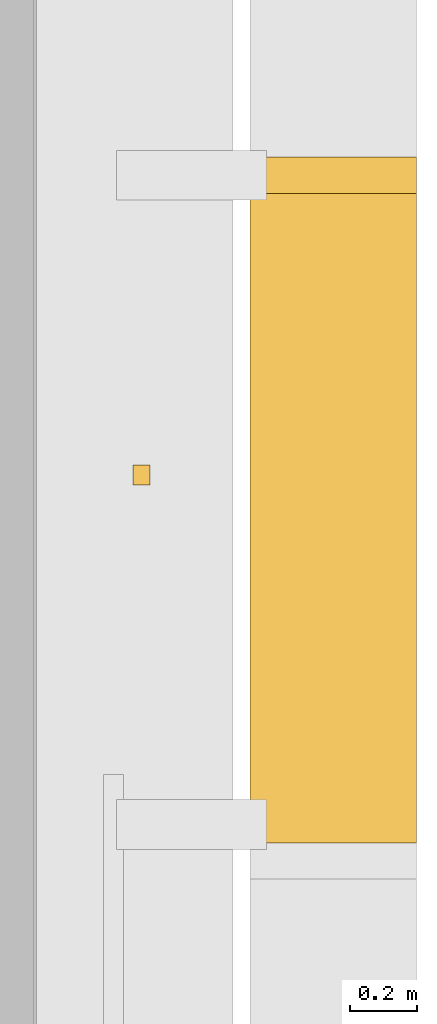
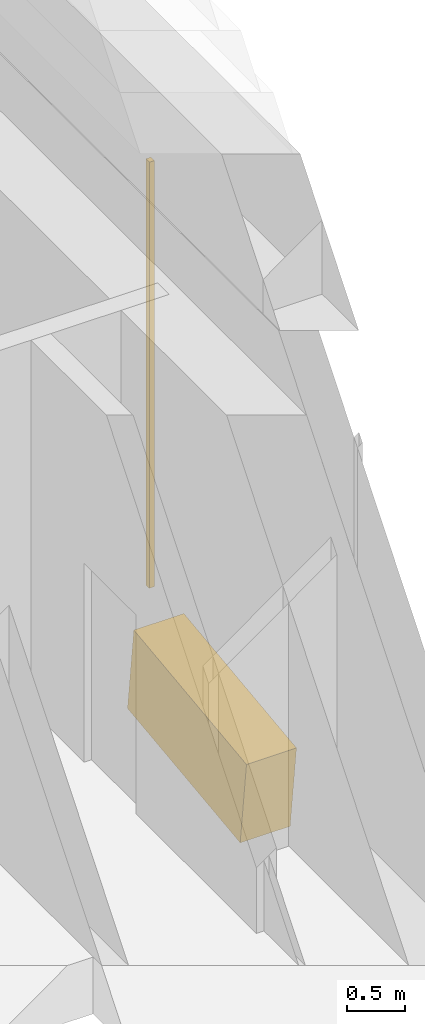
# One storey, part 31 of 38: 2 coverings.
"""IFC4 building model written with IfcOpenShell, lengths in metres."""

from ifc_helpers import new_model, si_unit, direction, frame, origin, origin_2d, place, context, subcontext, project, spatial, rectangle, extrude, material, material_profile, profile_set, type_object, element, save


model = new_model("IFC4")

# Units and contexts
model_context = context("Model", 3, precision=1e-05, world=origin(), true_north=direction((0.0, 1.0)))
body_context = subcontext(model_context, "Body", "Model", "MODEL_VIEW")
ifc_project = project(units=[si_unit("LENGTHUNIT", "METRE"), si_unit("AREAUNIT", "SQUARE_METRE"), si_unit("VOLUMEUNIT", "CUBIC_METRE"), si_unit("PLANEANGLEUNIT", "RADIAN"), si_unit("MASSUNIT", "GRAM", prefix="KILO")], contexts=[model_context])

# Site, building, storey
site_placement = place(None, origin())
site = spatial("IfcSite", under=ifc_project, at=site_placement, CompositionType="ELEMENT")
building_placement = place(site_placement, origin())
building = spatial("IfcBuilding", under=site, at=building_placement, Name="Cobrizo Arcos Hotel Tower", CompositionType="ELEMENT")
storey_placement = place(building_placement, frame((0.0, 0.0, 138.0)))
storey = spatial("IfcBuildingStorey", under=building, at=storey_placement, Name="L35", CompositionType="ELEMENT", Elevation=138.0)

# Coverings
ifc_material = material(Name="Aluminium 6063-T6 anodised pale", Category="aluminium")
ifc_material_profile = material_profile(ifc_material, rectangle(XDim=0.5, YDim=0.89990234375, at=origin_2d()), Name="AF-2 core arch rim 500x900")
ifc_profile_set = profile_set([ifc_material_profile], Name="Aluminium 6063-T6 anodised pale")
covering_type_1 = type_object("IfcCoveringType", Name="AF-2 core arch rim 500x900", PredefinedType="CLADDING", material=ifc_profile_set)
covering_1_placement = place(storey_placement, frame((23.699951171875, -1.949951171875, -1.778076171875), z_axis=(0.0, 0.992631300505, 0.121173847251), x_axis=(-1.0, 0.0, 0.0)))
element("IfcCovering", 1, at=covering_1_placement, inside=storey, type_object=covering_type_1, Name="Arch rim B E face", PredefinedType="CLADDING", context=body_context, shape_type="SweptSolid", body=[
    extrude(rectangle(XDim=0.5, YDim=0.89990234375, at=origin_2d()), origin(), (0.0, 0.0, 1.0), 1.96435546875),
])
covering_type_2 = type_object("IfcCoveringType", Name="RS-2 rainscreen rib 60x50", PredefinedType="CLADDING", material=ifc_material)
covering_2_placement = place(storey_placement, frame((23.125, -0.89990234375, 0.0), z_axis=(0.0, 0.0, 1.0), x_axis=(0.0, 1.0, 0.0)))
element("IfcCovering", 2, at=covering_2_placement, inside=storey, type_object=covering_type_2, Name="Rainscreen rib 45", PredefinedType="CLADDING", context=body_context, shape_type="SweptSolid", body=[
    extrude(rectangle(XDim=0.06005859375, YDim=0.050048828125, at=origin_2d()), origin(), (0.0, 0.0, 1.0), 4.5),
])

save(model, "model.ifc")
